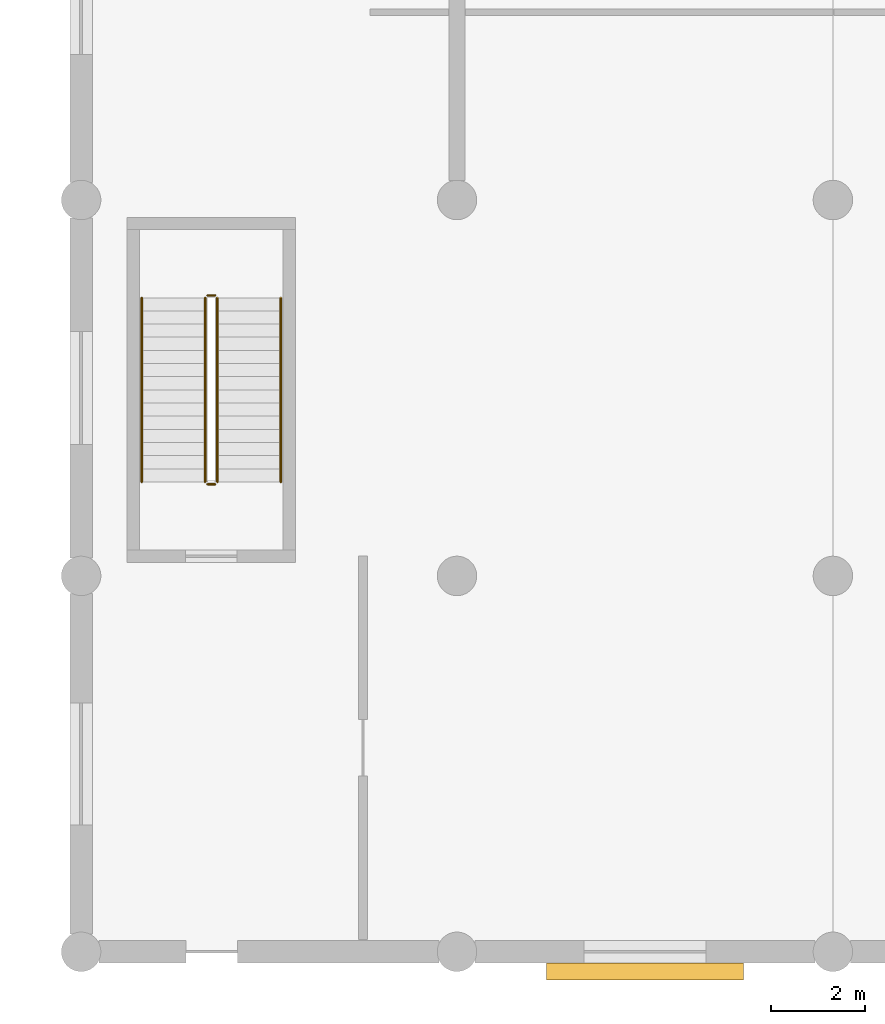
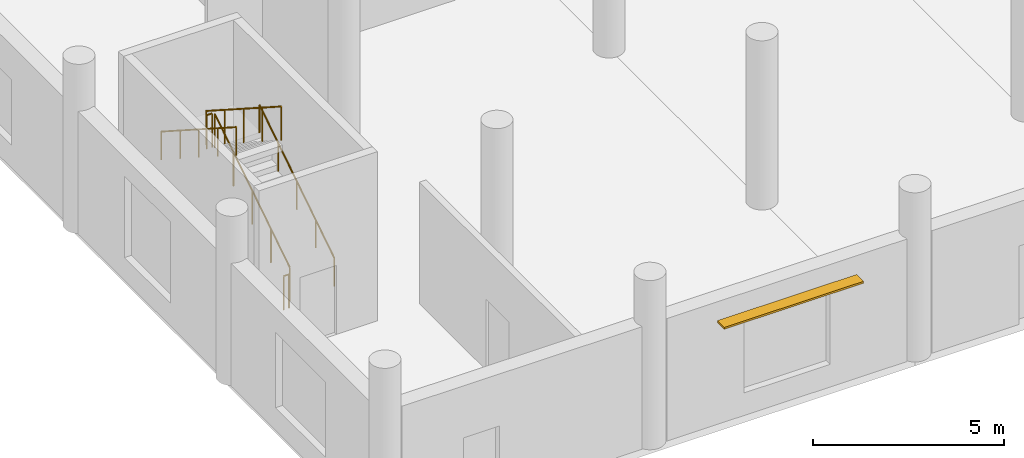
# One storey, part 41 of 42: 6 railings, 1 shading device.
"""IFC4 building model written with IfcOpenShell, lengths in metres."""

from ifc_helpers import new_model, si_unit, direction, frame, origin, origin_2d, place, context, subcontext, project, spatial, rectangle, circle, extrude, material, type_object, element, save


model = new_model("IFC4")

# Units and contexts
model_context = context("Model", 3, precision=1e-05, world=origin(), true_north=direction((0.0, 1.0)))
body_context = subcontext(model_context, "Body", "Model", "MODEL_VIEW")
ifc_project = project(units=[si_unit("LENGTHUNIT", "METRE"), si_unit("AREAUNIT", "SQUARE_METRE"), si_unit("VOLUMEUNIT", "CUBIC_METRE"), si_unit("PLANEANGLEUNIT", "RADIAN"), si_unit("MASSUNIT", "GRAM", prefix="KILO")], contexts=[model_context])

# Site, building, storey
site_placement = place(None, origin())
site = spatial("IfcSite", under=ifc_project, at=site_placement, CompositionType="ELEMENT")
building_placement = place(site_placement, origin())
building = spatial("IfcBuilding", under=site, at=building_placement, Name="Pecanmere Concourse Central Library", CompositionType="ELEMENT")
storey_placement = place(building_placement, origin())
storey = spatial("IfcBuildingStorey", under=building, at=storey_placement, Name="L01", CompositionType="ELEMENT", Elevation=0.0)

# Railings
ifc_material_1 = material(Name="Painted architectural steel ASTM A36", Category="steel")
railing_type_1 = type_object("IfcRailingType", Name="RAIL_STAIR_GUARD", PredefinedType="GUARDRAIL", material=ifc_material_1)
railing_1_placement = place(storey_placement, frame((130.89990234375, 10.0, 0.179931640625)))
element("IfcRailing", 1, at=railing_1_placement, inside=storey, type_object=railing_type_1, Name="L01 ST-08 Guard 1", PredefinedType="GUARDRAIL", context=body_context, shape_type="SweptSolid", body=[
    extrude(circle(Radius=0.02392578125, at=origin_2d()), frame((0.0, 0.0, 1.076171875), z_axis=(0.0, 0.841171666519, 0.540768182723), x_axis=(-1.0, 0.0, 0.0)), (0.0, 0.0, 1.0), 4.66015625),
    extrude(circle(Radius=0.02099609375, at=origin_2d()), origin(), (0.0, 0.0, 1.0), 1.052001953125),
    extrude(circle(Radius=0.02099609375, at=origin_2d()), frame((0.0, 0.97998046875, 0.6298828125)), (0.0, 0.0, 1.0), 1.052001953125),
    extrude(circle(Radius=0.02099609375, at=origin_2d()), frame((0.0, 1.9599609375, 1.260009765625)), (0.0, 0.0, 1.0), 1.052001953125),
    extrude(circle(Radius=0.02099609375, at=origin_2d()), frame((0.0, 2.93994140625, 1.89013671875)), (0.0, 0.0, 1.0), 1.052001953125),
    extrude(circle(Radius=0.02099609375, at=origin_2d()), frame((0.0, 3.919921875, 2.52001953125)), (0.0, 0.0, 1.0), 1.052001953125),
])
railing_2_placement = place(storey_placement, frame((130.85009765625, 13.969970703125, 2.699951171875)))
element("IfcRailing", 2, at=railing_2_placement, inside=storey, type_object=railing_type_1, Name="L01 ST-08 Guard 2", PredefinedType="GUARDRAIL", context=body_context, shape_type="SweptSolid", body=[
    extrude(circle(Radius=0.02392578125, at=origin_2d()), frame((0.0, 0.0, 1.076171875), z_axis=(-1.0, 0.0, 0.0), x_axis=(0.0, -1.0, 0.0)), (0.0, 0.0, 1.0), 0.16015625),
    extrude(circle(Radius=0.02099609375, at=origin_2d()), origin(), (0.0, 0.0, 1.0), 1.052001953125),
    extrude(circle(Radius=0.02099609375, at=origin_2d()), frame((-0.16015625, 0.0, 0.0)), (0.0, 0.0, 1.0), 1.052001953125),
])
railing_3_placement = place(storey_placement, frame((130.639892578125, 13.919921875, 2.8798828125)))
element("IfcRailing", 3, at=railing_3_placement, inside=storey, type_object=railing_type_1, Name="L01 ST-08 Guard 3", PredefinedType="GUARDRAIL", context=body_context, shape_type="SweptSolid", body=[
    extrude(circle(Radius=0.02392578125, at=origin_2d()), frame((0.0, 0.0, 1.076171875), z_axis=(0.0, -0.841171666519, 0.540768182723), x_axis=(1.0, 0.0, 0.0)), (0.0, 0.0, 1.0), 4.66015625),
    extrude(circle(Radius=0.02099609375, at=origin_2d()), origin(), (0.0, 0.0, 1.0), 1.052001953125),
    extrude(circle(Radius=0.02099609375, at=origin_2d()), frame((0.0, -0.97998046875, 0.6298828125)), (0.0, 0.0, 1.0), 1.052001953125),
    extrude(circle(Radius=0.02099609375, at=origin_2d()), frame((0.0, -1.9599609375, 1.260009765625)), (0.0, 0.0, 1.0), 1.052001953125),
    extrude(circle(Radius=0.02099609375, at=origin_2d()), frame((0.0, -2.93994140625, 1.89013671875)), (0.0, 0.0, 1.0), 1.052001953125),
    extrude(circle(Radius=0.02099609375, at=origin_2d()), frame((0.0, -3.919921875, 2.52001953125)), (0.0, 0.0, 1.0), 1.052001953125),
])
railing_4_placement = place(storey_placement, frame((130.85009765625, 9.949951171875, 0.0)))
element("IfcRailing", 4, at=railing_4_placement, inside=storey, type_object=railing_type_1, Name="L01 ST-08 Guard 4", PredefinedType="GUARDRAIL", context=body_context, shape_type="SweptSolid", body=[
    extrude(circle(Radius=0.02392578125, at=origin_2d()), frame((0.0, 0.0, 1.076171875), z_axis=(-1.0, 0.0, 0.0), x_axis=(0.0, -1.0, 0.0)), (0.0, 0.0, 1.0), 0.16015625),
    extrude(circle(Radius=0.02099609375, at=origin_2d()), origin(), (0.0, 0.0, 1.0), 1.052001953125),
    extrude(circle(Radius=0.02099609375, at=origin_2d()), frame((-0.16015625, 0.0, 0.0)), (0.0, 0.0, 1.0), 1.052001953125),
])
ifc_material_2 = material(Name="Brushed stainless steel Grade 316", Category="steel")
railing_type_2 = type_object("IfcRailingType", Name="RAIL_STAIR_HR", PredefinedType="HANDRAIL", material=ifc_material_2)
railing_5_placement = place(storey_placement, frame((132.25, 10.0, 0.179931640625)))
element("IfcRailing", 5, at=railing_5_placement, inside=storey, type_object=railing_type_2, Name="L01 ST-08 Handrail 1", PredefinedType="HANDRAIL", context=body_context, shape_type="SweptSolid", body=[
    extrude(circle(Radius=0.02392578125, at=origin_2d()), frame((0.0, 0.0, 0.89111328125), z_axis=(0.0, 0.841171666519, 0.540768182723), x_axis=(-1.0, 0.0, 0.0)), (0.0, 0.0, 1.0), 4.66015625),
    extrude(circle(Radius=0.02099609375, at=origin_2d()), origin(), (0.0, 0.0, 1.0), 0.866943359375),
    extrude(circle(Radius=0.02099609375, at=origin_2d()), frame((0.0, 0.97998046875, 0.6298828125)), (0.0, 0.0, 1.0), 0.866943359375),
    extrude(circle(Radius=0.02099609375, at=origin_2d()), frame((0.0, 1.9599609375, 1.260009765625)), (0.0, 0.0, 1.0), 0.866943359375),
    extrude(circle(Radius=0.02099609375, at=origin_2d()), frame((0.0, 2.93994140625, 1.89013671875)), (0.0, 0.0, 1.0), 0.866943359375),
    extrude(circle(Radius=0.02099609375, at=origin_2d()), frame((0.0, 3.919921875, 2.52001953125)), (0.0, 0.0, 1.0), 0.866943359375),
])
railing_6_placement = place(storey_placement, frame((129.2900390625, 13.919921875, 2.8798828125)))
element("IfcRailing", 6, at=railing_6_placement, inside=storey, type_object=railing_type_2, Name="L01 ST-08 Handrail 2", PredefinedType="HANDRAIL", context=body_context, shape_type="SweptSolid", body=[
    extrude(circle(Radius=0.02392578125, at=origin_2d()), frame((0.0, 0.0, 0.89111328125), z_axis=(0.0, -0.841171666519, 0.540768182723), x_axis=(1.0, 0.0, 0.0)), (0.0, 0.0, 1.0), 4.66015625),
    extrude(circle(Radius=0.02099609375, at=origin_2d()), origin(), (0.0, 0.0, 1.0), 0.866943359375),
    extrude(circle(Radius=0.02099609375, at=origin_2d()), frame((0.0, -0.97998046875, 0.6298828125)), (0.0, 0.0, 1.0), 0.866943359375),
    extrude(circle(Radius=0.02099609375, at=origin_2d()), frame((0.0, -1.9599609375, 1.260009765625)), (0.0, 0.0, 1.0), 0.866943359375),
    extrude(circle(Radius=0.02099609375, at=origin_2d()), frame((0.0, -2.93994140625, 1.89013671875)), (0.0, 0.0, 1.0), 0.866943359375),
    extrude(circle(Radius=0.02099609375, at=origin_2d()), frame((0.0, -3.919921875, 2.52001953125)), (0.0, 0.0, 1.0), 0.866943359375),
])

# Shading device
ifc_material_3 = material(Name="Architectural anodized bronze")
shading_device_type = type_object("IfcShadingDeviceType", Name="SHD_BRISE_1", PredefinedType="AWNING", material=ifc_material_3)
shading_device_placement = place(storey_placement, frame((140.0, -0.419921875, 3.25), z_axis=(0.0, 0.0, 1.0), x_axis=(1.0, 0.0, 0.0)))
element("IfcShadingDevice", 7, at=shading_device_placement, inside=storey, type_object=shading_device_type, Name="Bronze Solar Brise-Soleil L01-008", PredefinedType="AWNING", context=body_context, shape_type="SweptSolid", body=[
    extrude(rectangle(XDim=4.199951171875, YDim=0.360107421875, at=origin_2d()), origin(), (0.0, 0.0, 1.0), 0.06005859375),
])

save(model, "model.ifc")
